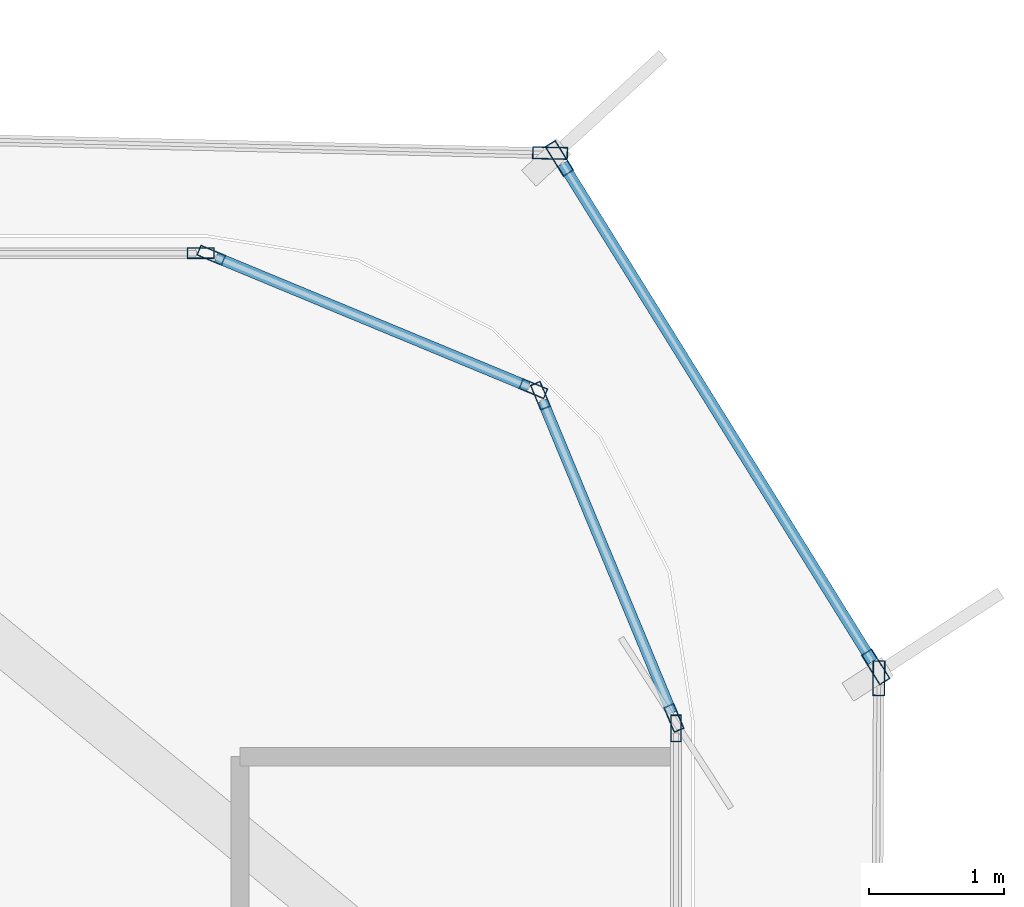
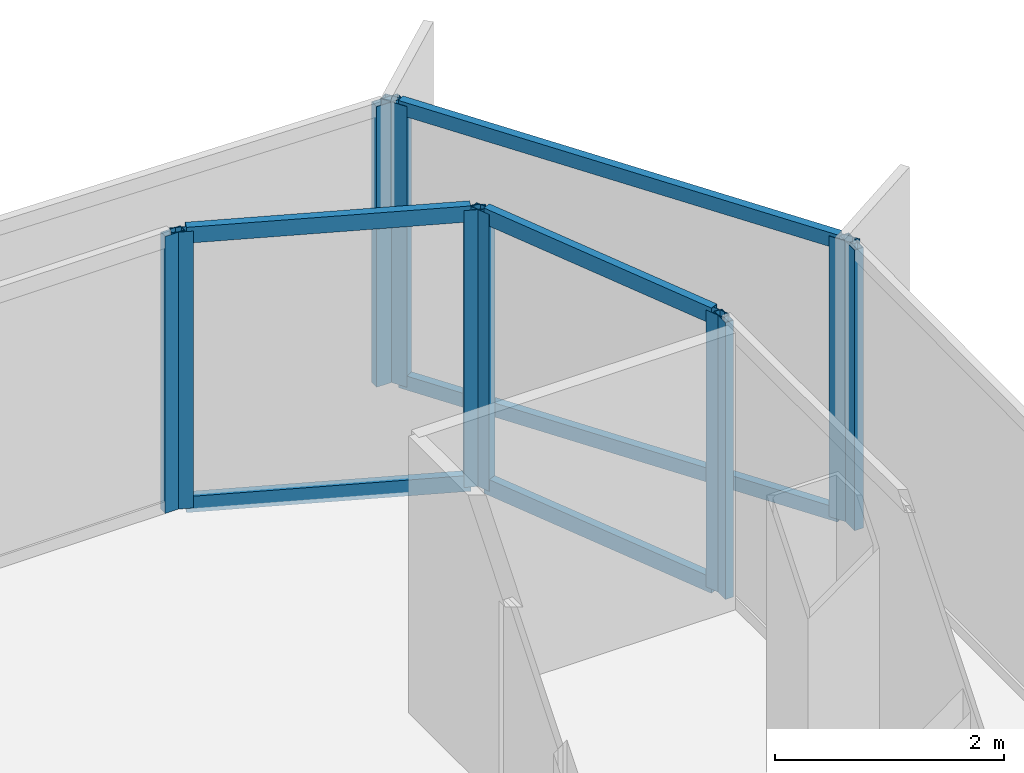
# One storey, part 8 of 15: 16 members, 7 elements without a shape of their own.
"""IFC4 building model written with IfcOpenShell, lengths in metres."""

from ifc_helpers import new_model, si_unit, direction, frame, origin, origin_2d, place, context, subcontext, project, spatial, hollow_rectangle, extrude, source, transform, mapped, material, layer, layer_set, material_profile, profile_set, type_object, element, aggregate, save


model = new_model("IFC4")

# Units and contexts
model_context = context("Model", 3, precision=1e-05, world=origin(), true_north=direction((0.0, 1.0)))
body_context = subcontext(model_context, "Body", "Model", "MODEL_VIEW")
ifc_project = project(units=[si_unit("LENGTHUNIT", "METRE"), si_unit("AREAUNIT", "SQUARE_METRE"), si_unit("VOLUMEUNIT", "CUBIC_METRE"), si_unit("PLANEANGLEUNIT", "RADIAN"), si_unit("MASSUNIT", "GRAM", prefix="KILO")], contexts=[model_context])

# Site, building, storey
site_placement = place(None, origin())
site = spatial("IfcSite", under=ifc_project, at=site_placement, CompositionType="ELEMENT")
building_placement = place(site_placement, origin())
building = spatial("IfcBuilding", under=site, at=building_placement, Name="Kolveth Station Tower", CompositionType="ELEMENT")
storey_placement = place(building_placement, frame((0.0, 0.0, 196.39990234375)))
storey = spatial("IfcBuildingStorey", under=building, at=storey_placement, Name="L55", CompositionType="ELEMENT", Elevation=196.39990234375)

# Curtain wall, member
ifc_material_1 = material(Name="Black anodized aluminium 6063-T6 and dark solar glass", Category="aluminium")
ifc_layer_1 = layer(ifc_material_1, 0.159912109375)
ifc_layer_set_1 = layer_set([ifc_layer_1], Name="Black anodized aluminium 6063-T6 and dark solar glass")
curtain_wall_type_1 = type_object("IfcCurtainWallType", Name="OUTER SKIN CW-OS", PredefinedType="NOTDEFINED", material=ifc_layer_set_1)
curtain_wall_1_placement = place(storey_placement, origin())
curtain_wall_1 = element("IfcCurtainWall", 1, at=curtain_wall_1_placement, inside=storey, type_object=curtain_wall_type_1, Name="L55 Outer Ventilated Skin Curtain Wall 2", PredefinedType="NOTDEFINED")
ifc_material_2 = material(Name="Black anodized aluminium 6063-T6", Category="aluminium")
ifc_material_profile_1 = material_profile(ifc_material_2, hollow_rectangle(XDim=0.090087890625, YDim=0.260009765625, WallThickness=0.0048828125, at=origin_2d()), Name="ALU-90x260x5")
ifc_profile_set_1 = profile_set([ifc_material_profile_1], Name="Black anodized aluminium 6063-T6")
member_type_1 = type_object("IfcMemberType", Name="FIN MULLION ML-OS", PredefinedType="MULLION", material=ifc_profile_set_1)
shared_shape_1 = source(origin(), body_context, "Body", "SweptSolid", [
    extrude(hollow_rectangle(XDim=0.090087890625, YDim=0.260009765625, WallThickness=0.0048828125, at=origin_2d()), origin(), (0.0, 0.0, 1.0), 2.989990234375),
])
member_1_placement = place(storey_placement, frame((43.183349609375, 32.031982421875, 0.0), z_axis=(0.0, 0.0, 1.0), x_axis=(-0.999982586968, 0.005901335548, 0.0)))
member_1 = element("IfcMember", 2, at=member_1_placement, type_object=member_type_1, Name="CW-OS mullion 2", PredefinedType="MULLION", context=body_context, shape_type="MappedRepresentation", body=[
    mapped(shared_shape_1, transform((0.0, 0.0, 0.0), x_axis=(1.0, 0.0, 0.0), y_axis=(0.0, 1.0, 0.0), z_axis=(0.0, 0.0, 1.0), scale=1.0)),
])
aggregate(curtain_wall_1, [member_1])

# Curtain wall, members
curtain_wall_2_placement = place(storey_placement, origin())
curtain_wall_2 = element("IfcCurtainWall", 3, at=curtain_wall_2_placement, inside=storey, type_object=curtain_wall_type_1, Name="L55 Outer Ventilated Skin Curtain Wall 3", PredefinedType="NOTDEFINED")
member_2_placement = place(storey_placement, frame((43.159912109375, 32.115234375, 0.0), z_axis=(0.0, 0.0, 1.0), x_axis=(-0.84906144828, -0.528294100898, 0.0)))
member_2 = element("IfcMember", 4, at=member_2_placement, type_object=member_type_1, Name="CW-OS mullion 1", PredefinedType="MULLION", context=body_context, shape_type="MappedRepresentation", body=[
    mapped(shared_shape_1, transform((0.0, 0.0, 0.0), x_axis=(1.0, 0.0, 0.0), y_axis=(0.0, 1.0, 0.0), z_axis=(0.0, 0.0, 1.0), scale=1.0)),
])
member_3_placement = place(storey_placement, frame((40.816162109375, 35.882080078125, 0.0), z_axis=(0.0, 0.0, 1.0), x_axis=(-0.84906144828, -0.528294100898, 0.0)))
member_3 = element("IfcMember", 5, at=member_3_placement, type_object=member_type_1, Name="CW-OS mullion 2", PredefinedType="MULLION", context=body_context, shape_type="MappedRepresentation", body=[
    mapped(shared_shape_1, transform((0.0, 0.0, 0.0), x_axis=(1.0, 0.0, 0.0), y_axis=(0.0, 1.0, 0.0), z_axis=(0.0, 0.0, 1.0), scale=1.0)),
])

# Curtain wall, member
curtain_wall_3_placement = place(storey_placement, origin())
curtain_wall_3 = element("IfcCurtainWall", 6, at=curtain_wall_3_placement, inside=storey, type_object=curtain_wall_type_1, Name="L55 Outer Ventilated Skin Curtain Wall 4", PredefinedType="NOTDEFINED")
member_4_placement = place(storey_placement, frame((40.747314453125, 35.92138671875, 0.0), z_axis=(0.0, 0.0, 1.0), x_axis=(-0.02310597472, -0.999733021327, 0.0)))
member_4 = element("IfcMember", 7, at=member_4_placement, type_object=member_type_1, Name="CW-OS mullion 1", PredefinedType="MULLION", context=body_context, shape_type="MappedRepresentation", body=[
    mapped(shared_shape_1, transform((0.0, 0.0, 0.0), x_axis=(1.0, 0.0, 0.0), y_axis=(0.0, 1.0, 0.0), z_axis=(0.0, 0.0, 1.0), scale=1.0)),
])
aggregate(curtain_wall_3, [member_4])

ifc_material_3 = material(Name="Aluminium 6063-T6 and low-E dark glass", Category="aluminium")
ifc_layer_2 = layer(ifc_material_3, 0.18994140625)
ifc_layer_set_2 = layer_set([ifc_layer_2], Name="Aluminium 6063-T6 and low-E dark glass")
curtain_wall_type_2 = type_object("IfcCurtainWallType", Name="CurtainWall_CW-Z2", PredefinedType="NOTDEFINED", material=ifc_layer_set_2)
curtain_wall_4_placement = place(storey_placement, origin())
curtain_wall_4 = element("IfcCurtainWall", 8, at=curtain_wall_4_placement, inside=storey, type_object=curtain_wall_type_2, Name="L55 Inner Thermal Curtain Wall 3", PredefinedType="NOTDEFINED")
ifc_material_profile_2 = material_profile(ifc_material_2, hollow_rectangle(XDim=0.080078125, YDim=0.199951171875, WallThickness=0.0048828125, at=origin_2d()), Name="ALU-80x200x5")
ifc_profile_set_2 = profile_set([ifc_material_profile_2], Name="Black anodized aluminium 6063-T6")
member_type_2 = type_object("IfcMemberType", Name="Mullion_ML2", PredefinedType="MULLION", material=ifc_profile_set_2)
shared_shape_2 = source(origin(), body_context, "Body", "SweptSolid", [
    extrude(hollow_rectangle(XDim=0.080078125, YDim=0.199951171875, WallThickness=0.0048828125, at=origin_2d()), origin(), (0.0, 0.0, 1.0), 2.9501953125),
])
member_5_placement = place(storey_placement, frame((41.679931640625, 31.659912109375, 0.0), z_axis=(0.0, 0.0, 1.0), x_axis=(-1.0, 0.0, 0.0)))
member_5 = element("IfcMember", 9, at=member_5_placement, type_object=member_type_2, Name="CW-Z2 mullion 2", PredefinedType="MULLION", context=body_context, shape_type="MappedRepresentation", body=[
    mapped(shared_shape_2, transform((0.0, 0.0, 0.0), x_axis=(1.0, 0.0, 0.0), y_axis=(0.0, 1.0, 0.0), z_axis=(0.0, 0.0, 1.0), scale=1.0)),
])
aggregate(curtain_wall_4, [member_5])

# Curtain wall, members
curtain_wall_5_placement = place(storey_placement, origin())
curtain_wall_5 = element("IfcCurtainWall", 10, at=curtain_wall_5_placement, inside=storey, type_object=curtain_wall_type_2, Name="L55 Inner Thermal Curtain Wall 4", PredefinedType="NOTDEFINED")
member_6_placement = place(storey_placement, frame((41.664794921875, 31.737060546875, 0.0), z_axis=(0.0, 0.0, 1.0), x_axis=(-0.923873600544, -0.382697753087, 0.0)))
member_6 = element("IfcMember", 11, at=member_6_placement, type_object=member_type_2, Name="CW-Z2 mullion 1", PredefinedType="MULLION", context=body_context, shape_type="MappedRepresentation", body=[
    mapped(shared_shape_2, transform((0.0, 0.0, 0.0), x_axis=(1.0, 0.0, 0.0), y_axis=(0.0, 1.0, 0.0), z_axis=(0.0, 0.0, 1.0), scale=1.0)),
])
member_7_placement = place(storey_placement, frame((40.676025390625, 34.123779296875, 0.0), z_axis=(0.0, 0.0, 1.0), x_axis=(-0.923873600544, -0.382697753087, 0.0)))
member_7 = element("IfcMember", 12, at=member_7_placement, type_object=member_type_2, Name="CW-Z2 mullion 2", PredefinedType="MULLION", context=body_context, shape_type="MappedRepresentation", body=[
    mapped(shared_shape_2, transform((0.0, 0.0, 0.0), x_axis=(1.0, 0.0, 0.0), y_axis=(0.0, 1.0, 0.0), z_axis=(0.0, 0.0, 1.0), scale=1.0)),
])

curtain_wall_6_placement = place(storey_placement, origin())
curtain_wall_6 = element("IfcCurtainWall", 13, at=curtain_wall_6_placement, inside=storey, type_object=curtain_wall_type_2, Name="L55 Inner Thermal Curtain Wall 5", PredefinedType="NOTDEFINED")
member_8_placement = place(storey_placement, frame((40.623779296875, 34.176025390625, 0.0), z_axis=(0.0, 0.0, 1.0), x_axis=(-0.382697753087, -0.923873600544, 0.0)))
member_8 = element("IfcMember", 14, at=member_8_placement, type_object=member_type_2, Name="CW-Z2 mullion 1", PredefinedType="MULLION", context=body_context, shape_type="MappedRepresentation", body=[
    mapped(shared_shape_2, transform((0.0, 0.0, 0.0), x_axis=(1.0, 0.0, 0.0), y_axis=(0.0, 1.0, 0.0), z_axis=(0.0, 0.0, 1.0), scale=1.0)),
])
member_9_placement = place(storey_placement, frame((38.237060546875, 35.164794921875, 0.0), z_axis=(0.0, 0.0, 1.0), x_axis=(-0.382697753087, -0.923873600544, 0.0)))
member_9 = element("IfcMember", 15, at=member_9_placement, type_object=member_type_2, Name="CW-Z2 mullion 2", PredefinedType="MULLION", context=body_context, shape_type="MappedRepresentation", body=[
    mapped(shared_shape_2, transform((0.0, 0.0, 0.0), x_axis=(1.0, 0.0, 0.0), y_axis=(0.0, 1.0, 0.0), z_axis=(0.0, 0.0, 1.0), scale=1.0)),
])

# Curtain wall, member
curtain_wall_7_placement = place(storey_placement, origin())
curtain_wall_7 = element("IfcCurtainWall", 16, at=curtain_wall_7_placement, inside=storey, type_object=curtain_wall_type_2, Name="L55 Inner Thermal Curtain Wall 6", PredefinedType="NOTDEFINED")
member_10_placement = place(storey_placement, frame((38.159912109375, 35.179931640625, 0.0), z_axis=(0.0, 0.0, 1.0), x_axis=(0.0, -1.0, 0.0)))
member_10 = element("IfcMember", 17, at=member_10_placement, type_object=member_type_2, Name="CW-Z2 mullion 1", PredefinedType="MULLION", context=body_context, shape_type="MappedRepresentation", body=[
    mapped(shared_shape_2, transform((0.0, 0.0, 0.0), x_axis=(1.0, 0.0, 0.0), y_axis=(0.0, 1.0, 0.0), z_axis=(0.0, 0.0, 1.0), scale=1.0)),
])
aggregate(curtain_wall_7, [member_10])

# Member
ifc_material_profile_3 = material_profile(ifc_material_2, hollow_rectangle(XDim=0.080078125, YDim=0.169921875, WallThickness=0.0048828125, at=origin_2d()), Name="ALU-80x170x5")
ifc_profile_set_3 = profile_set([ifc_material_profile_3], Name="Black anodized aluminium 6063-T6")
member_type_3 = type_object("IfcMemberType", Name="Transom_TR2", PredefinedType="USERDEFINED", material=ifc_profile_set_3)
shared_shape_3 = source(origin(), body_context, "Body", "SweptSolid", [
    extrude(hollow_rectangle(XDim=0.080078125, YDim=0.169921875, WallThickness=0.0048828125, at=origin_2d()), origin(), (0.0, 0.0, 1.0), 2.50341796875),
])
member_11_placement = place(storey_placement, frame((41.6494140625, 31.77392578125, 0.0400390625), z_axis=(-0.382696328882, 0.923874190494, 0.0), x_axis=(-0.923874190494, -0.382696328882, 0.0)))
member_11 = element("IfcMember", 18, at=member_11_placement, type_object=member_type_3, Name="CW-Z2 transom 1.1", ObjectType="TRANSOM", PredefinedType="USERDEFINED", context=body_context, shape_type="MappedRepresentation", body=[
    mapped(shared_shape_3, transform((0.0, 0.0, 0.0), x_axis=(1.0, 0.0, 0.0), y_axis=(0.0, 1.0, 0.0), z_axis=(0.0, 0.0, 1.0), scale=1.0)),
])

member_12_placement = place(storey_placement, frame((41.6494140625, 31.77392578125, 2.91015625), z_axis=(-0.382696328882, 0.923874190494, 0.0), x_axis=(-0.923874190494, -0.382696328882, 0.0)))
member_12 = element("IfcMember", 19, at=member_12_placement, type_object=member_type_3, Name="CW-Z2 transom 1.2", ObjectType="TRANSOM", PredefinedType="USERDEFINED", context=body_context, shape_type="MappedRepresentation", body=[
    mapped(shared_shape_3, transform((0.0, 0.0, 0.0), x_axis=(1.0, 0.0, 0.0), y_axis=(0.0, 1.0, 0.0), z_axis=(0.0, 0.0, 1.0), scale=1.0)),
])

aggregate(curtain_wall_5, [member_6, member_7, member_11, member_12])

member_13_placement = place(storey_placement, frame((40.586669921875, 34.19140625, 0.0400390625), z_axis=(-0.923874190494, 0.382696328882, 0.0), x_axis=(-0.382696328882, -0.923874190494, 0.0)))
member_13 = element("IfcMember", 20, at=member_13_placement, type_object=member_type_3, Name="CW-Z2 transom 1.1", ObjectType="TRANSOM", PredefinedType="USERDEFINED", context=body_context, shape_type="MappedRepresentation", body=[
    mapped(shared_shape_3, transform((0.0, 0.0, 0.0), x_axis=(1.0, 0.0, 0.0), y_axis=(0.0, 1.0, 0.0), z_axis=(0.0, 0.0, 1.0), scale=1.0)),
])

member_14_placement = place(storey_placement, frame((40.586669921875, 34.19140625, 2.91015625), z_axis=(-0.923874190494, 0.382696328882, 0.0), x_axis=(-0.382696328882, -0.923874190494, 0.0)))
member_14 = element("IfcMember", 21, at=member_14_placement, type_object=member_type_3, Name="CW-Z2 transom 1.2", ObjectType="TRANSOM", PredefinedType="USERDEFINED", context=body_context, shape_type="MappedRepresentation", body=[
    mapped(shared_shape_3, transform((0.0, 0.0, 0.0), x_axis=(1.0, 0.0, 0.0), y_axis=(0.0, 1.0, 0.0), z_axis=(0.0, 0.0, 1.0), scale=1.0)),
])

aggregate(curtain_wall_6, [member_8, member_9, member_13, member_14])

ifc_material_profile_4 = material_profile(ifc_material_2, hollow_rectangle(XDim=0.080078125, YDim=0.14990234375, WallThickness=0.0048828125, at=origin_2d()), Name="ALU-80x150x5")
ifc_profile_set_4 = profile_set([ifc_material_profile_4], Name="Black anodized aluminium 6063-T6")
member_type_4 = type_object("IfcMemberType", Name="Transom_TR-OS", PredefinedType="USERDEFINED", material=ifc_profile_set_4)
shared_shape_4 = source(origin(), body_context, "Body", "SweptSolid", [
    extrude(hollow_rectangle(XDim=0.080078125, YDim=0.14990234375, WallThickness=0.0048828125, at=origin_2d()), origin(), (0.0, 0.0, 1.0), 4.3466796875),
])
member_15_placement = place(storey_placement, frame((43.13623046875, 32.1533203125, 0.0400390625), z_axis=(-0.528296488137, 0.849059962913, 0.0), x_axis=(-0.849059962913, -0.528296488137, 0.0)))
member_15 = element("IfcMember", 22, at=member_15_placement, type_object=member_type_4, Name="CW-OS transom 1.1", ObjectType="TRANSOM", PredefinedType="USERDEFINED", context=body_context, shape_type="MappedRepresentation", body=[
    mapped(shared_shape_4, transform((0.0, 0.0, 0.0), x_axis=(1.0, 0.0, 0.0), y_axis=(0.0, 1.0, 0.0), z_axis=(0.0, 0.0, 1.0), scale=1.0)),
])

member_16_placement = place(storey_placement, frame((43.13623046875, 32.1533203125, 2.9501953125), z_axis=(-0.528296488137, 0.849059962913, 0.0), x_axis=(-0.849059962913, -0.528296488137, 0.0)))
member_16 = element("IfcMember", 23, at=member_16_placement, type_object=member_type_4, Name="CW-OS transom 1.2", ObjectType="TRANSOM", PredefinedType="USERDEFINED", context=body_context, shape_type="MappedRepresentation", body=[
    mapped(shared_shape_4, transform((0.0, 0.0, 0.0), x_axis=(1.0, 0.0, 0.0), y_axis=(0.0, 1.0, 0.0), z_axis=(0.0, 0.0, 1.0), scale=1.0)),
])

aggregate(curtain_wall_2, [member_2, member_3, member_15, member_16])

save(model, "model.ifc")
